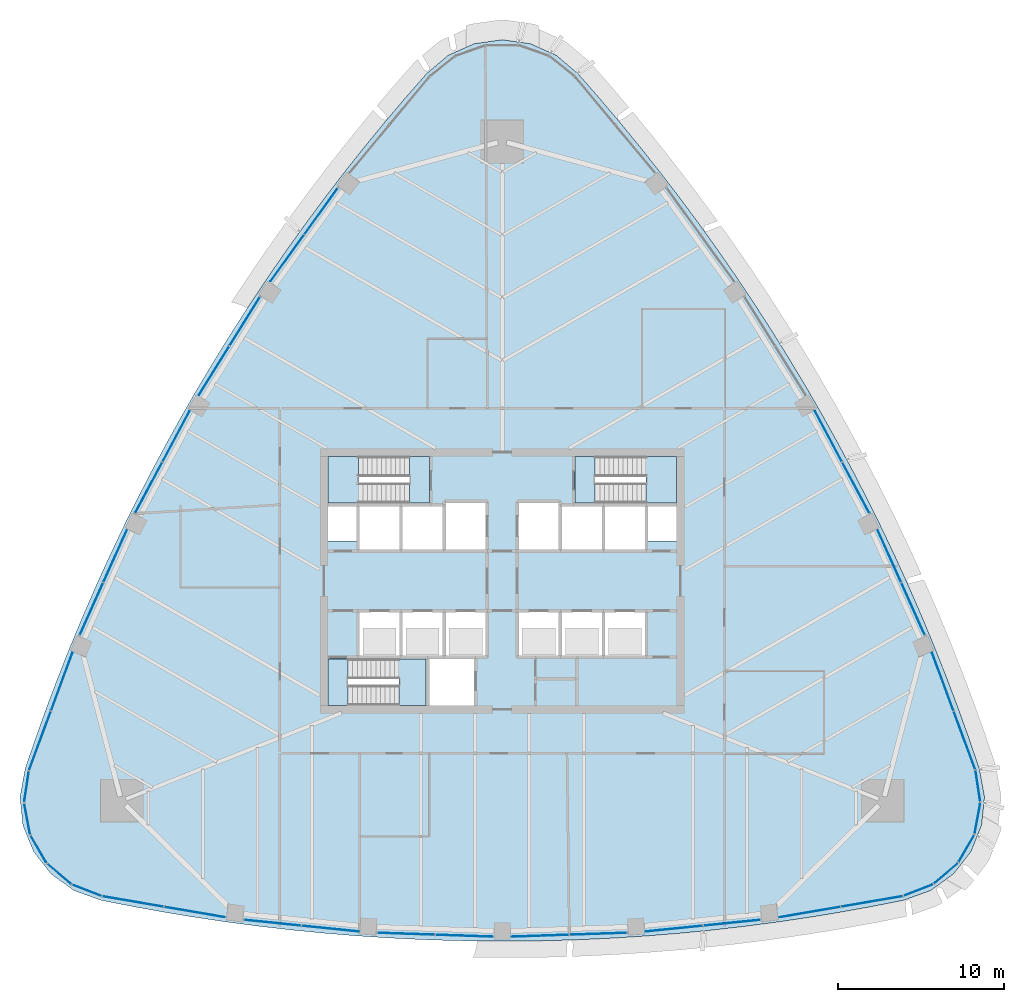
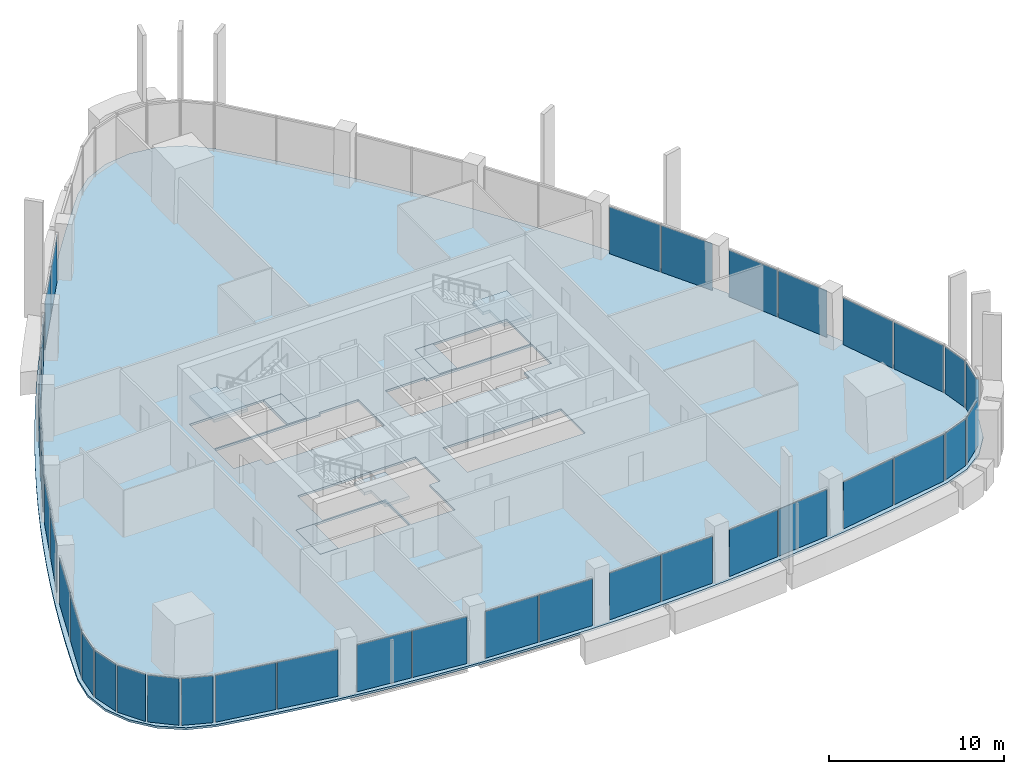
# One storey, part 8 of 17: 38 plates, 7 slabs, 27 elements without a shape of their own.
"""IFC4 building model written with IfcOpenShell, lengths in metres."""

from ifc_helpers import new_model, si_unit, direction, frame, origin, origin_2d, place, context, subcontext, project, spatial, polyline, rectangle, outline, extrude, material, layer, layer_set, type_object, element, aggregate, save


model = new_model("IFC4")

# Units and contexts
model_context = context("Model", 3, precision=1e-05, world=origin(), true_north=direction((0.0, 1.0)))
body_context = subcontext(model_context, "Body", "Model", "MODEL_VIEW")
ifc_project = project(units=[si_unit("LENGTHUNIT", "METRE"), si_unit("AREAUNIT", "SQUARE_METRE"), si_unit("VOLUMEUNIT", "CUBIC_METRE"), si_unit("PLANEANGLEUNIT", "RADIAN"), si_unit("MASSUNIT", "GRAM", prefix="KILO")], contexts=[model_context])

# Site, building, storey
site_placement = place(None, origin())
site = spatial("IfcSite", under=ifc_project, at=site_placement, CompositionType="ELEMENT")
building_placement = place(site_placement, origin())
building = spatial("IfcBuilding", under=site, at=building_placement, Name="Sierra Prisma Convention Tower", CompositionType="ELEMENT")
storey_placement = place(building_placement, frame((0.0, 0.0, 201.800048828125)))
storey = spatial("IfcBuildingStorey", under=building, at=storey_placement, Name="L45", CompositionType="ELEMENT", Elevation=201.800048828125)

# Curtain wall, plates
ifc_material_1 = material(Name="Aluminium and glass curtain wall", Category="aluminium")
ifc_layer_1 = layer(ifc_material_1, 0.179931640625)
ifc_layer_set_1 = layer_set([ifc_layer_1], Name="CW-1 Plain shaft curtain wall")
curtain_wall_type = type_object("IfcCurtainWallType", Name="CW-1 Plain shaft curtain wall", PredefinedType="NOTDEFINED", material=ifc_layer_set_1)
curtain_wall_1_placement = place(storey_placement, origin())
curtain_wall_1 = element("IfcCurtainWall", 1, at=curtain_wall_1_placement, inside=storey, type_object=curtain_wall_type, Name="CW-1 S1 L45", PredefinedType="NOTDEFINED")
ifc_material_2 = material(Name="Tinted glass bronze-grey IGU", Category="glass")
ifc_layer_2 = layer(ifc_material_2, 0.028076171875)
ifc_layer_set_2 = layer_set([ifc_layer_2], Name="CW-1 glass panel")
plate_type = type_object("IfcPlateType", Name="CW-1 glass panel", PredefinedType="CURTAIN_PANEL", material=ifc_layer_set_2)
plate_1_placement = place(storey_placement, frame((-22.257568359375, -19.32470703125, 0.0), z_axis=(0.0, 0.0, 1.0), x_axis=(0.985648531309, -0.168810463918, 0.0)))
plate_1 = element("IfcPlate", 2, at=plate_1_placement, type_object=plate_type, Name="CW-1 panel S1.1", PredefinedType="CURTAIN_PANEL", context=body_context, shape_type="SweptSolid", body=[
    extrude(rectangle(XDim=3.69677734375, YDim=0.028076171875, at=origin_2d()), origin(), (0.0, 0.0, 1.0), 3.280029296875),
])
plate_2_placement = place(storey_placement, frame((-18.544677734375, -19.960693359375, 0.0), z_axis=(0.0, 0.0, 1.0), x_axis=(0.985648531309, -0.168810463918, 0.0)))
plate_2 = element("IfcPlate", 3, at=plate_2_placement, type_object=plate_type, Name="CW-1 panel S1.2", PredefinedType="CURTAIN_PANEL", context=body_context, shape_type="SweptSolid", body=[
    extrude(rectangle(XDim=3.69677734375, YDim=0.028076171875, at=origin_2d()), origin(), (0.0, 0.0, 1.0), 3.280029296875),
])
aggregate(curtain_wall_1, [plate_1, plate_2])

curtain_wall_2_placement = place(storey_placement, origin())
curtain_wall_2 = element("IfcCurtainWall", 4, at=curtain_wall_2_placement, inside=storey, type_object=curtain_wall_type, Name="CW-1 S2 L45", PredefinedType="NOTDEFINED")
plate_3_placement = place(storey_placement, frame((-13.84619140625, -20.605224609375, 0.0), z_axis=(0.0, 0.0, 1.0), x_axis=(0.994825534561, -0.101598010731, 0.0)))
plate_3 = element("IfcPlate", 5, at=plate_3_placement, type_object=plate_type, Name="CW-1 panel S2.1", PredefinedType="CURTAIN_PANEL", context=body_context, shape_type="SweptSolid", body=[
    extrude(rectangle(XDim=3.4248046875, YDim=0.028076171875, at=origin_2d()), origin(), (0.0, 0.0, 1.0), 3.280029296875),
])
plate_4_placement = place(storey_placement, frame((-10.36962890625, -20.96044921875, 0.0), z_axis=(0.0, 0.0, 1.0), x_axis=(0.994825534561, -0.101598010731, 0.0)))
plate_4 = element("IfcPlate", 6, at=plate_4_placement, type_object=plate_type, Name="CW-1 panel S2.2", PredefinedType="CURTAIN_PANEL", context=body_context, shape_type="SweptSolid", body=[
    extrude(rectangle(XDim=3.4248046875, YDim=0.028076171875, at=origin_2d()), origin(), (0.0, 0.0, 1.0), 3.280029296875),
])
aggregate(curtain_wall_2, [plate_3, plate_4])

curtain_wall_3_placement = place(storey_placement, origin())
curtain_wall_3 = element("IfcCurtainWall", 7, at=curtain_wall_3_placement, inside=storey, type_object=curtain_wall_type, Name="CW-1 S3 L45", PredefinedType="NOTDEFINED")
plate_5_placement = place(storey_placement, frame((-5.797607421875, -21.270263671875, 0.0), z_axis=(0.0, 0.0, 1.0), x_axis=(0.999424618061, -0.033918030804, 0.0)))
plate_5 = element("IfcPlate", 8, at=plate_5_placement, type_object=plate_type, Name="CW-1 panel S3.1", PredefinedType="CURTAIN_PANEL", context=body_context, shape_type="SweptSolid", body=[
    extrude(rectangle(XDim=3.440673828125, YDim=0.028076171875, at=origin_2d()), origin(), (0.0, 0.0, 1.0), 3.280029296875),
])
plate_6_placement = place(storey_placement, frame((-2.2890625, -21.389404296875, 0.0), z_axis=(0.0, 0.0, 1.0), x_axis=(0.999424618061, -0.033918030804, 0.0)))
plate_6 = element("IfcPlate", 9, at=plate_6_placement, type_object=plate_type, Name="CW-1 panel S3.2", PredefinedType="CURTAIN_PANEL", context=body_context, shape_type="SweptSolid", body=[
    extrude(rectangle(XDim=3.440673828125, YDim=0.028076171875, at=origin_2d()), origin(), (0.0, 0.0, 1.0), 3.280029296875),
])
aggregate(curtain_wall_3, [plate_5, plate_6])

curtain_wall_4_placement = place(storey_placement, origin())
curtain_wall_4 = element("IfcCurtainWall", 10, at=curtain_wall_4_placement, inside=storey, type_object=curtain_wall_type, Name="CW-1 S4 L45", PredefinedType="NOTDEFINED")
plate_7_placement = place(storey_placement, frame((2.2890625, -21.389404296875, 0.0), z_axis=(0.0, 0.0, 1.0), x_axis=(0.999424618061, 0.033918030804, 0.0)))
plate_7 = element("IfcPlate", 11, at=plate_7_placement, type_object=plate_type, Name="CW-1 panel S4.1", PredefinedType="CURTAIN_PANEL", context=body_context, shape_type="SweptSolid", body=[
    extrude(rectangle(XDim=3.440673828125, YDim=0.028076171875, at=origin_2d()), origin(), (0.0, 0.0, 1.0), 3.280029296875),
])
plate_8_placement = place(storey_placement, frame((5.797607421875, -21.270263671875, 0.0), z_axis=(0.0, 0.0, 1.0), x_axis=(0.999424618061, 0.033918030804, 0.0)))
plate_8 = element("IfcPlate", 12, at=plate_8_placement, type_object=plate_type, Name="CW-1 panel S4.2", PredefinedType="CURTAIN_PANEL", context=body_context, shape_type="SweptSolid", body=[
    extrude(rectangle(XDim=3.440673828125, YDim=0.028076171875, at=origin_2d()), origin(), (0.0, 0.0, 1.0), 3.280029296875),
])
aggregate(curtain_wall_4, [plate_7, plate_8])

curtain_wall_5_placement = place(storey_placement, origin())
curtain_wall_5 = element("IfcCurtainWall", 13, at=curtain_wall_5_placement, inside=storey, type_object=curtain_wall_type, Name="CW-1 S5 L45", PredefinedType="NOTDEFINED")
plate_9_placement = place(storey_placement, frame((10.36962890625, -20.96044921875, 0.0), z_axis=(0.0, 0.0, 1.0), x_axis=(0.994825534561, 0.101598010731, 0.0)))
plate_9 = element("IfcPlate", 14, at=plate_9_placement, type_object=plate_type, Name="CW-1 panel S5.1", PredefinedType="CURTAIN_PANEL", context=body_context, shape_type="SweptSolid", body=[
    extrude(rectangle(XDim=3.4248046875, YDim=0.028076171875, at=origin_2d()), origin(), (0.0, 0.0, 1.0), 3.280029296875),
])
plate_10_placement = place(storey_placement, frame((13.84619140625, -20.605224609375, 0.0), z_axis=(0.0, 0.0, 1.0), x_axis=(0.994825534561, 0.101598010731, 0.0)))
plate_10 = element("IfcPlate", 15, at=plate_10_placement, type_object=plate_type, Name="CW-1 panel S5.2", PredefinedType="CURTAIN_PANEL", context=body_context, shape_type="SweptSolid", body=[
    extrude(rectangle(XDim=3.4248046875, YDim=0.028076171875, at=origin_2d()), origin(), (0.0, 0.0, 1.0), 3.280029296875),
])
aggregate(curtain_wall_5, [plate_9, plate_10])

curtain_wall_6_placement = place(storey_placement, origin())
curtain_wall_6 = element("IfcCurtainWall", 16, at=curtain_wall_6_placement, inside=storey, type_object=curtain_wall_type, Name="CW-1 S6 L45", PredefinedType="NOTDEFINED")
plate_11_placement = place(storey_placement, frame((18.544677734375, -19.960693359375, 0.0), z_axis=(0.0, 0.0, 1.0), x_axis=(0.985648531309, 0.168810463918, 0.0)))
plate_11 = element("IfcPlate", 17, at=plate_11_placement, type_object=plate_type, Name="CW-1 panel S6.1", PredefinedType="CURTAIN_PANEL", context=body_context, shape_type="SweptSolid", body=[
    extrude(rectangle(XDim=3.69677734375, YDim=0.028076171875, at=origin_2d()), origin(), (0.0, 0.0, 1.0), 3.280029296875),
])
plate_12_placement = place(storey_placement, frame((22.257568359375, -19.32470703125, 0.0), z_axis=(0.0, 0.0, 1.0), x_axis=(0.985648531309, 0.168810463918, 0.0)))
plate_12 = element("IfcPlate", 18, at=plate_12_placement, type_object=plate_type, Name="CW-1 panel S6.2", PredefinedType="CURTAIN_PANEL", context=body_context, shape_type="SweptSolid", body=[
    extrude(rectangle(XDim=3.69677734375, YDim=0.028076171875, at=origin_2d()), origin(), (0.0, 0.0, 1.0), 3.280029296875),
])
aggregate(curtain_wall_6, [plate_11, plate_12])

# Curtain wall, plate
curtain_wall_7_placement = place(storey_placement, origin())
curtain_wall_7 = element("IfcCurtainWall", 19, at=curtain_wall_7_placement, inside=storey, type_object=curtain_wall_type, Name="CW-1 SE1 L45", PredefinedType="NOTDEFINED")
plate_13_placement = place(storey_placement, frame((25.06591796875, -18.642822265625, 0.0), z_axis=(0.0, 0.0, 1.0), x_axis=(0.931501425358, 0.363737672721, 0.0)))
plate_13 = element("IfcPlate", 20, at=plate_13_placement, type_object=plate_type, Name="CW-1 panel SE1.1", PredefinedType="CURTAIN_PANEL", context=body_context, shape_type="SweptSolid", body=[
    extrude(rectangle(XDim=1.82958984375, YDim=0.028076171875, at=origin_2d()), origin(), (0.0, 0.0, 1.0), 3.280029296875),
])
aggregate(curtain_wall_7, [plate_13])

curtain_wall_8_placement = place(storey_placement, origin())
curtain_wall_8 = element("IfcCurtainWall", 21, at=curtain_wall_8_placement, inside=storey, type_object=curtain_wall_type, Name="CW-1 SE2 L45", PredefinedType="NOTDEFINED")
plate_14_placement = place(storey_placement, frame((26.730224609375, -17.642822265625, 0.0), z_axis=(0.0, 0.0, 1.0), x_axis=(0.758533007782, 0.65163461856, 0.0)))
plate_14 = element("IfcPlate", 22, at=plate_14_placement, type_object=plate_type, Name="CW-1 panel SE2.1", PredefinedType="CURTAIN_PANEL", context=body_context, shape_type="SweptSolid", body=[
    extrude(rectangle(XDim=1.82958984375, YDim=0.028076171875, at=origin_2d()), origin(), (0.0, 0.0, 1.0), 3.280029296875),
])
aggregate(curtain_wall_8, [plate_14])

curtain_wall_9_placement = place(storey_placement, origin())
curtain_wall_9 = element("IfcCurtainWall", 23, at=curtain_wall_9_placement, inside=storey, type_object=curtain_wall_type, Name="CW-1 SE3 L45", PredefinedType="NOTDEFINED")
plate_15_placement = place(storey_placement, frame((27.969482421875, -16.148193359375, 0.0), z_axis=(0.0, 0.0, 1.0), x_axis=(0.5, 0.866025403784, 0.0)))
plate_15 = element("IfcPlate", 24, at=plate_15_placement, type_object=plate_type, Name="CW-1 panel SE3.1", PredefinedType="CURTAIN_PANEL", context=body_context, shape_type="SweptSolid", body=[
    extrude(rectangle(XDim=1.82958984375, YDim=0.028076171875, at=origin_2d()), origin(), (0.0, 0.0, 1.0), 3.280029296875),
])
aggregate(curtain_wall_9, [plate_15])

curtain_wall_10_placement = place(storey_placement, origin())
curtain_wall_10 = element("IfcCurtainWall", 25, at=curtain_wall_10_placement, inside=storey, type_object=curtain_wall_type, Name="CW-1 SE4 L45", PredefinedType="NOTDEFINED")
plate_16_placement = place(storey_placement, frame((28.644287109375, -14.32763671875, 0.0), z_axis=(0.0, 0.0, 1.0), x_axis=(0.185065629767, 0.982726163628, 0.0)))
plate_16 = element("IfcPlate", 26, at=plate_16_placement, type_object=plate_type, Name="CW-1 panel SE4.1", PredefinedType="CURTAIN_PANEL", context=body_context, shape_type="SweptSolid", body=[
    extrude(rectangle(XDim=1.82958984375, YDim=0.028076171875, at=origin_2d()), origin(), (0.0, 0.0, 1.0), 3.280029296875),
])
aggregate(curtain_wall_10, [plate_16])

curtain_wall_11_placement = place(storey_placement, origin())
curtain_wall_11 = element("IfcCurtainWall", 27, at=curtain_wall_11_placement, inside=storey, type_object=curtain_wall_type, Name="CW-1 SE5 L45", PredefinedType="NOTDEFINED")
plate_17_placement = place(storey_placement, frame((28.677978515625, -12.38623046875, 0.0), z_axis=(0.0, 0.0, 1.0), x_axis=(-0.15074464779, 0.988572734382, 0.0)))
plate_17 = element("IfcPlate", 28, at=plate_17_placement, type_object=plate_type, Name="CW-1 panel SE5.1", PredefinedType="CURTAIN_PANEL", context=body_context, shape_type="SweptSolid", body=[
    extrude(rectangle(XDim=1.82958984375, YDim=0.028076171875, at=origin_2d()), origin(), (0.0, 0.0, 1.0), 3.280029296875),
])
aggregate(curtain_wall_11, [plate_17])

# Curtain wall, plates
curtain_wall_12_placement = place(storey_placement, origin())
curtain_wall_12 = element("IfcCurtainWall", 29, at=curtain_wall_12_placement, inside=storey, type_object=curtain_wall_type, Name="CW-1 NE1 L45", PredefinedType="NOTDEFINED")
plate_18_placement = place(storey_placement, frame((27.864501953125, -9.61328125, 0.0), z_axis=(0.0, 0.0, 1.0), x_axis=(-0.346630115477, 0.938001899275, 0.0)))
plate_18 = element("IfcPlate", 30, at=plate_18_placement, type_object=plate_type, Name="CW-1 panel NE1.1", PredefinedType="CURTAIN_PANEL", context=body_context, shape_type="SweptSolid", body=[
    extrude(rectangle(XDim=3.69677734375, YDim=0.028076171875, at=origin_2d()), origin(), (0.0, 0.0, 1.0), 3.280029296875),
])
plate_19_placement = place(storey_placement, frame((26.558837890625, -6.079833984375, 0.0), z_axis=(0.0, 0.0, 1.0), x_axis=(-0.346630115477, 0.938001899275, 0.0)))
plate_19 = element("IfcPlate", 31, at=plate_19_placement, type_object=plate_type, Name="CW-1 panel NE1.2", PredefinedType="CURTAIN_PANEL", context=body_context, shape_type="SweptSolid", body=[
    extrude(rectangle(XDim=3.69677734375, YDim=0.028076171875, at=origin_2d()), origin(), (0.0, 0.0, 1.0), 3.280029296875),
])
aggregate(curtain_wall_12, [plate_18, plate_19])

curtain_wall_13_placement = place(storey_placement, origin())
curtain_wall_13 = element("IfcCurtainWall", 32, at=curtain_wall_13_placement, inside=storey, type_object=curtain_wall_type, Name="CW-1 NE2 L45", PredefinedType="NOTDEFINED")
plate_20_placement = place(storey_placement, frame((24.76806640625, -1.688720703125, 0.0), z_axis=(0.0, 0.0, 1.0), x_axis=(-0.409426309014, 0.912343190629, 0.0)))
plate_20 = element("IfcPlate", 33, at=plate_20_placement, type_object=plate_type, Name="CW-1 panel NE2.1", PredefinedType="CURTAIN_PANEL", context=body_context, shape_type="SweptSolid", body=[
    extrude(rectangle(XDim=3.4248046875, YDim=0.028076171875, at=origin_2d()), origin(), (0.0, 0.0, 1.0), 3.280029296875),
])
plate_21_placement = place(storey_placement, frame((23.337158203125, 1.499755859375, 0.0), z_axis=(0.0, 0.0, 1.0), x_axis=(-0.409426309014, 0.912343190629, 0.0)))
plate_21 = element("IfcPlate", 34, at=plate_21_placement, type_object=plate_type, Name="CW-1 panel NE2.2", PredefinedType="CURTAIN_PANEL", context=body_context, shape_type="SweptSolid", body=[
    extrude(rectangle(XDim=3.4248046875, YDim=0.028076171875, at=origin_2d()), origin(), (0.0, 0.0, 1.0), 3.280029296875),
])
aggregate(curtain_wall_13, [plate_20, plate_21])

curtain_wall_14_placement = place(storey_placement, origin())
curtain_wall_14 = element("IfcCurtainWall", 35, at=curtain_wall_14_placement, inside=storey, type_object=curtain_wall_type, Name="CW-1 NE3 L45", PredefinedType="NOTDEFINED")
plate_22_placement = place(storey_placement, frame((21.319580078125, 5.6142578125, 0.0), z_axis=(0.0, 0.0, 1.0), x_axis=(-0.470338432708, 0.88248612381, 0.0)))
plate_22 = element("IfcPlate", 36, at=plate_22_placement, type_object=plate_type, Name="CW-1 panel NE3.1", PredefinedType="CURTAIN_PANEL", context=body_context, shape_type="SweptSolid", body=[
    extrude(rectangle(XDim=3.440673828125, YDim=0.028076171875, at=origin_2d()), origin(), (0.0, 0.0, 1.0), 3.280029296875),
])
plate_23_placement = place(storey_placement, frame((19.66845703125, 8.71240234375, 0.0), z_axis=(0.0, 0.0, 1.0), x_axis=(-0.470338432708, 0.88248612381, 0.0)))
plate_23 = element("IfcPlate", 37, at=plate_23_placement, type_object=plate_type, Name="CW-1 panel NE3.2", PredefinedType="CURTAIN_PANEL", context=body_context, shape_type="SweptSolid", body=[
    extrude(rectangle(XDim=3.440673828125, YDim=0.028076171875, at=origin_2d()), origin(), (0.0, 0.0, 1.0), 3.280029296875),
])
aggregate(curtain_wall_14, [plate_22, plate_23])

curtain_wall_15_placement = place(storey_placement, origin())
curtain_wall_15 = element("IfcCurtainWall", 38, at=curtain_wall_15_placement, inside=storey, type_object=curtain_wall_type, Name="CW-1 NW2 L45", PredefinedType="NOTDEFINED")
plate_24_placement = place(storey_placement, frame((-10.921630859375, 22.2939453125, 0.0), z_axis=(0.0, 0.0, 1.0), x_axis=(-0.585399225548, -0.810745179898, 0.0)))
plate_24 = element("IfcPlate", 39, at=plate_24_placement, type_object=plate_type, Name="CW-1 panel NW2.1", PredefinedType="CURTAIN_PANEL", context=body_context, shape_type="SweptSolid", body=[
    extrude(rectangle(XDim=3.4248046875, YDim=0.028076171875, at=origin_2d()), origin(), (0.0, 0.0, 1.0), 3.280029296875),
])
plate_25_placement = place(storey_placement, frame((-12.96728515625, 19.460693359375, 0.0), z_axis=(0.0, 0.0, 1.0), x_axis=(-0.585399225548, -0.810745179898, 0.0)))
plate_25 = element("IfcPlate", 40, at=plate_25_placement, type_object=plate_type, Name="CW-1 panel NW2.2", PredefinedType="CURTAIN_PANEL", context=body_context, shape_type="SweptSolid", body=[
    extrude(rectangle(XDim=3.4248046875, YDim=0.028076171875, at=origin_2d()), origin(), (0.0, 0.0, 1.0), 3.280029296875),
])
aggregate(curtain_wall_15, [plate_24, plate_25])

curtain_wall_16_placement = place(storey_placement, origin())
curtain_wall_16 = element("IfcCurtainWall", 41, at=curtain_wall_16_placement, inside=storey, type_object=curtain_wall_type, Name="CW-1 NW3 L45", PredefinedType="NOTDEFINED")
plate_26_placement = place(storey_placement, frame((-15.521728515625, 15.65625, 0.0), z_axis=(0.0, 0.0, 1.0), x_axis=(-0.529086185353, -0.848568093007, 0.0)))
plate_26 = element("IfcPlate", 42, at=plate_26_placement, type_object=plate_type, Name="CW-1 panel NW3.1", PredefinedType="CURTAIN_PANEL", context=body_context, shape_type="SweptSolid", body=[
    extrude(rectangle(XDim=3.440673828125, YDim=0.028076171875, at=origin_2d()), origin(), (0.0, 0.0, 1.0), 3.280029296875),
])
plate_27_placement = place(storey_placement, frame((-17.37939453125, 12.677001953125, 0.0), z_axis=(0.0, 0.0, 1.0), x_axis=(-0.529086185353, -0.848568093007, 0.0)))
plate_27 = element("IfcPlate", 43, at=plate_27_placement, type_object=plate_type, Name="CW-1 panel NW3.2", PredefinedType="CURTAIN_PANEL", context=body_context, shape_type="SweptSolid", body=[
    extrude(rectangle(XDim=3.440673828125, YDim=0.028076171875, at=origin_2d()), origin(), (0.0, 0.0, 1.0), 3.280029296875),
])
aggregate(curtain_wall_16, [plate_26, plate_27])

curtain_wall_17_placement = place(storey_placement, origin())
curtain_wall_17 = element("IfcCurtainWall", 44, at=curtain_wall_17_placement, inside=storey, type_object=curtain_wall_type, Name="CW-1 NW4 L45", PredefinedType="NOTDEFINED")
plate_28_placement = place(storey_placement, frame((-19.668212890625, 8.71240234375, 0.0), z_axis=(0.0, 0.0, 1.0), x_axis=(-0.470338432708, -0.88248612381, 0.0)))
plate_28 = element("IfcPlate", 45, at=plate_28_placement, type_object=plate_type, Name="CW-1 panel NW4.1", PredefinedType="CURTAIN_PANEL", context=body_context, shape_type="SweptSolid", body=[
    extrude(rectangle(XDim=3.440673828125, YDim=0.028076171875, at=origin_2d()), origin(), (0.0, 0.0, 1.0), 3.280029296875),
])
plate_29_placement = place(storey_placement, frame((-21.319580078125, 5.6142578125, 0.0), z_axis=(0.0, 0.0, 1.0), x_axis=(-0.470338432708, -0.88248612381, 0.0)))
plate_29 = element("IfcPlate", 46, at=plate_29_placement, type_object=plate_type, Name="CW-1 panel NW4.2", PredefinedType="CURTAIN_PANEL", context=body_context, shape_type="SweptSolid", body=[
    extrude(rectangle(XDim=3.440673828125, YDim=0.028076171875, at=origin_2d()), origin(), (0.0, 0.0, 1.0), 3.280029296875),
])
aggregate(curtain_wall_17, [plate_28, plate_29])

curtain_wall_18_placement = place(storey_placement, origin())
curtain_wall_18 = element("IfcCurtainWall", 47, at=curtain_wall_18_placement, inside=storey, type_object=curtain_wall_type, Name="CW-1 NW5 L45", PredefinedType="NOTDEFINED")
plate_30_placement = place(storey_placement, frame((-23.337158203125, 1.499755859375, 0.0), z_axis=(0.0, 0.0, 1.0), x_axis=(-0.409426309014, -0.912343190629, 0.0)))
plate_30 = element("IfcPlate", 48, at=plate_30_placement, type_object=plate_type, Name="CW-1 panel NW5.1", PredefinedType="CURTAIN_PANEL", context=body_context, shape_type="SweptSolid", body=[
    extrude(rectangle(XDim=3.4248046875, YDim=0.028076171875, at=origin_2d()), origin(), (0.0, 0.0, 1.0), 3.280029296875),
])
plate_31_placement = place(storey_placement, frame((-24.767822265625, -1.6884765625, 0.0), z_axis=(0.0, 0.0, 1.0), x_axis=(-0.409426309014, -0.912343190629, 0.0)))
plate_31 = element("IfcPlate", 49, at=plate_31_placement, type_object=plate_type, Name="CW-1 panel NW5.2", PredefinedType="CURTAIN_PANEL", context=body_context, shape_type="SweptSolid", body=[
    extrude(rectangle(XDim=3.4248046875, YDim=0.028076171875, at=origin_2d()), origin(), (0.0, 0.0, 1.0), 3.280029296875),
])
aggregate(curtain_wall_18, [plate_30, plate_31])

curtain_wall_19_placement = place(storey_placement, origin())
curtain_wall_19 = element("IfcCurtainWall", 50, at=curtain_wall_19_placement, inside=storey, type_object=curtain_wall_type, Name="CW-1 NW6 L45", PredefinedType="NOTDEFINED")
plate_32_placement = place(storey_placement, frame((-26.558837890625, -6.079833984375, 0.0), z_axis=(0.0, 0.0, 1.0), x_axis=(-0.346630115477, -0.938001899275, 0.0)))
plate_32 = element("IfcPlate", 51, at=plate_32_placement, type_object=plate_type, Name="CW-1 panel NW6.1", PredefinedType="CURTAIN_PANEL", context=body_context, shape_type="SweptSolid", body=[
    extrude(rectangle(XDim=3.69677734375, YDim=0.028076171875, at=origin_2d()), origin(), (0.0, 0.0, 1.0), 3.280029296875),
])
plate_33_placement = place(storey_placement, frame((-27.864501953125, -9.61328125, 0.0), z_axis=(0.0, 0.0, 1.0), x_axis=(-0.346630115477, -0.938001899275, 0.0)))
plate_33 = element("IfcPlate", 52, at=plate_33_placement, type_object=plate_type, Name="CW-1 panel NW6.2", PredefinedType="CURTAIN_PANEL", context=body_context, shape_type="SweptSolid", body=[
    extrude(rectangle(XDim=3.69677734375, YDim=0.028076171875, at=origin_2d()), origin(), (0.0, 0.0, 1.0), 3.280029296875),
])
aggregate(curtain_wall_19, [plate_32, plate_33])

# Curtain wall, plate
curtain_wall_20_placement = place(storey_placement, origin())
curtain_wall_20 = element("IfcCurtainWall", 53, at=curtain_wall_20_placement, inside=storey, type_object=curtain_wall_type, Name="CW-1 SW1 L45", PredefinedType="NOTDEFINED")
plate_34_placement = place(storey_placement, frame((-28.677978515625, -12.38623046875, 0.0), z_axis=(0.0, 0.0, 1.0), x_axis=(-0.15074464779, -0.988572734382, 0.0)))
plate_34 = element("IfcPlate", 54, at=plate_34_placement, type_object=plate_type, Name="CW-1 panel SW1.1", PredefinedType="CURTAIN_PANEL", context=body_context, shape_type="SweptSolid", body=[
    extrude(rectangle(XDim=1.82958984375, YDim=0.028076171875, at=origin_2d()), origin(), (0.0, 0.0, 1.0), 3.280029296875),
])
aggregate(curtain_wall_20, [plate_34])

curtain_wall_21_placement = place(storey_placement, origin())
curtain_wall_21 = element("IfcCurtainWall", 55, at=curtain_wall_21_placement, inside=storey, type_object=curtain_wall_type, Name="CW-1 SW2 L45", PredefinedType="NOTDEFINED")
plate_35_placement = place(storey_placement, frame((-28.644287109375, -14.32763671875, 0.0), z_axis=(0.0, 0.0, 1.0), x_axis=(0.185065629767, -0.982726163628, 0.0)))
plate_35 = element("IfcPlate", 56, at=plate_35_placement, type_object=plate_type, Name="CW-1 panel SW2.1", PredefinedType="CURTAIN_PANEL", context=body_context, shape_type="SweptSolid", body=[
    extrude(rectangle(XDim=1.82958984375, YDim=0.028076171875, at=origin_2d()), origin(), (0.0, 0.0, 1.0), 3.280029296875),
])
aggregate(curtain_wall_21, [plate_35])

curtain_wall_22_placement = place(storey_placement, origin())
curtain_wall_22 = element("IfcCurtainWall", 57, at=curtain_wall_22_placement, inside=storey, type_object=curtain_wall_type, Name="CW-1 SW3 L45", PredefinedType="NOTDEFINED")
plate_36_placement = place(storey_placement, frame((-27.969482421875, -16.148193359375, 0.0), z_axis=(0.0, 0.0, 1.0), x_axis=(0.5, -0.866025403784, 0.0)))
plate_36 = element("IfcPlate", 58, at=plate_36_placement, type_object=plate_type, Name="CW-1 panel SW3.1", PredefinedType="CURTAIN_PANEL", context=body_context, shape_type="SweptSolid", body=[
    extrude(rectangle(XDim=1.82958984375, YDim=0.028076171875, at=origin_2d()), origin(), (0.0, 0.0, 1.0), 3.280029296875),
])
aggregate(curtain_wall_22, [plate_36])

curtain_wall_23_placement = place(storey_placement, origin())
curtain_wall_23 = element("IfcCurtainWall", 59, at=curtain_wall_23_placement, inside=storey, type_object=curtain_wall_type, Name="CW-1 SW4 L45", PredefinedType="NOTDEFINED")
plate_37_placement = place(storey_placement, frame((-26.730224609375, -17.642822265625, 0.0), z_axis=(0.0, 0.0, 1.0), x_axis=(0.758533007782, -0.65163461856, 0.0)))
plate_37 = element("IfcPlate", 60, at=plate_37_placement, type_object=plate_type, Name="CW-1 panel SW4.1", PredefinedType="CURTAIN_PANEL", context=body_context, shape_type="SweptSolid", body=[
    extrude(rectangle(XDim=1.82958984375, YDim=0.028076171875, at=origin_2d()), origin(), (0.0, 0.0, 1.0), 3.280029296875),
])
aggregate(curtain_wall_23, [plate_37])

curtain_wall_24_placement = place(storey_placement, origin())
curtain_wall_24 = element("IfcCurtainWall", 61, at=curtain_wall_24_placement, inside=storey, type_object=curtain_wall_type, Name="CW-1 SW5 L45", PredefinedType="NOTDEFINED")
plate_38_placement = place(storey_placement, frame((-25.06591796875, -18.642822265625, 0.0), z_axis=(0.0, 0.0, 1.0), x_axis=(0.931501425358, -0.363737672721, 0.0)))
plate_38 = element("IfcPlate", 62, at=plate_38_placement, type_object=plate_type, Name="CW-1 panel SW5.1", PredefinedType="CURTAIN_PANEL", context=body_context, shape_type="SweptSolid", body=[
    extrude(rectangle(XDim=1.82958984375, YDim=0.028076171875, at=origin_2d()), origin(), (0.0, 0.0, 1.0), 3.280029296875),
])
aggregate(curtain_wall_24, [plate_38])

# Slab
ifc_material_3 = material(Name="Concrete C35/45", Category="concrete")
ifc_layer_3 = layer(ifc_material_3, 0.14990234375)
ifc_layer_set_3 = layer_set([ifc_layer_3], Name="Composite floor slab 150")
slab_type_1 = type_object("IfcSlabType", Name="Composite floor slab 150", PredefinedType="FLOOR", material=ifc_layer_set_3)
slab_1_placement = place(storey_placement, frame((0.0, 0.0, -0.150146484375)))
element("IfcSlab", 63, at=slab_1_placement, inside=storey, type_object=slab_type_1, Name="Floor slab L45 floor", PredefinedType="FLOOR", context=body_context, shape_type="SweptSolid", body=[
    extrude(outline(polyline([(-24.198974609375, -19.245849609375), (-22.286865234375, -19.624267578125), (-20.36865234375, -19.9716796875), (-18.445068359375, -20.28759765625), (-16.5166015625, -20.572265625), (-14.583740234375, -20.825439453125), (-12.647216796875, -21.047119140625), (-10.70703125, -21.2373046875), (-8.76416015625, -21.39599609375), (-6.819091796875, -21.522705078125), (-4.8720703125, -21.617919921875), (-2.923828125, -21.681396484375), (-0.974609375, -21.713134765625), (0.974609375, -21.713134765625), (2.923828125, -21.681396484375), (4.8720703125, -21.617919921875), (6.819091796875, -21.522705078125), (8.76416015625, -21.39599609375), (10.70703125, -21.2373046875), (12.647216796875, -21.047119140625), (14.583740234375, -20.825439453125), (16.5166015625, -20.572265625), (18.445068359375, -20.28759765625), (20.36865234375, -19.9716796875), (22.286865234375, -19.624267578125), (24.198974609375, -19.245849609375), (25.812255859375, -18.66748046875), (27.20166015625, -17.664306640625), (28.258056640625, -16.31494140625), (28.898681640625, -14.725341796875), (29.07275390625, -13.020263671875), (28.766845703125, -11.333984375), (28.138427734375, -9.48876953125), (27.480224609375, -7.654052734375), (26.792236328125, -5.830078125), (26.074462890625, -4.017822265625), (25.327392578125, -2.21728515625), (24.551025390625, -0.42919921875), (23.74560546875, 1.345947265625), (22.91162109375, 3.10791015625), (22.048828125, 4.85595703125), (21.15771484375, 6.589599609375), (20.238525390625, 8.30859375), (19.29150390625, 10.012451171875), (18.31689453125, 11.70068359375), (17.314697265625, 13.372802734375), (16.28564453125, 15.0283203125), (15.229736328125, 16.666748046875), (14.147216796875, 18.2880859375), (13.03857421875, 19.891357421875), (11.90380859375, 21.476318359375), (10.743408203125, 23.042724609375), (9.557861328125, 24.590087890625), (8.346923828125, 26.11767578125), (7.111572265625, 27.62548828125), (5.851806640625, 29.113037109375), (4.56787109375, 30.579833984375), (3.260498046875, 31.68798828125), (1.69677734375, 32.3896484375), (0.0, 32.629638671875), (-1.69677734375, 32.3896484375), (-3.260498046875, 31.68798828125), (-4.56787109375, 30.579833984375), (-5.851806640625, 29.113037109375), (-7.111572265625, 27.62548828125), (-8.346923828125, 26.11767578125), (-9.557861328125, 24.590087890625), (-10.743408203125, 23.042724609375), (-11.90380859375, 21.476318359375), (-13.03857421875, 19.891357421875), (-14.147216796875, 18.2880859375), (-15.229736328125, 16.666748046875), (-16.28564453125, 15.0283203125), (-17.314697265625, 13.372802734375), (-18.31689453125, 11.70068359375), (-19.29150390625, 10.012451171875), (-20.238525390625, 8.30859375), (-21.15771484375, 6.589599609375), (-22.048828125, 4.85595703125), (-22.91162109375, 3.10791015625), (-23.74560546875, 1.345947265625), (-24.551025390625, -0.42919921875), (-25.327392578125, -2.21728515625), (-26.074462890625, -4.017822265625), (-26.792236328125, -5.830078125), (-27.480224609375, -7.654052734375), (-28.138427734375, -9.48876953125), (-28.766845703125, -11.333984375), (-29.07275390625, -13.020263671875), (-28.898681640625, -14.725341796875), (-28.258056640625, -16.31494140625), (-27.20166015625, -17.664306640625), (-25.812255859375, -18.66748046875), (-24.198974609375, -19.245849609375)]), holes=[polyline([(-4.60009765625, -7.5), (-10.5, -7.5), (-10.5, -4.699951171875), (-4.60009765625, -4.699951171875), (-4.60009765625, -7.5)]), polyline([(-8.699951171875, -4.60009765625), (-8.699951171875, -1.800048828125), (-6.10009765625, -1.800048828125), (-3.5, -1.800048828125), (-0.89990234375, -1.800048828125), (-0.89990234375, -4.60009765625), (-1.60009765625, -4.60009765625), (-1.60009765625, -7.5), (-4.5, -7.5), (-4.5, -4.60009765625), (-6.10009765625, -4.60009765625), (-8.699951171875, -4.60009765625)]), polyline([(-10.5, 4.60009765625), (-8.699951171875, 4.60009765625), (-6.10009765625, 4.60009765625), (-3.5, 4.60009765625), (-3.5, 4.800048828125), (-0.89990234375, 4.800048828125), (-0.89990234375, 1.800048828125), (-3.5, 1.800048828125), (-6.10009765625, 1.800048828125), (-8.699951171875, 1.800048828125), (-8.699951171875, 2.39990234375), (-10.5, 2.39990234375), (-10.5, 4.60009765625)]), polyline([(-10.5, 4.699951171875), (-10.5, 7.5), (-4.39990234375, 7.5), (-4.39990234375, 4.699951171875), (-10.5, 4.699951171875)]), polyline([(6.10009765625, -1.800048828125), (8.699951171875, -1.800048828125), (8.699951171875, -4.60009765625), (6.10009765625, -4.60009765625), (3.5, -4.60009765625), (0.89990234375, -4.60009765625), (0.89990234375, -1.800048828125), (3.5, -1.800048828125), (6.10009765625, -1.800048828125)]), polyline([(8.699951171875, 4.60009765625), (10.5, 4.60009765625), (10.5, 2.39990234375), (8.699951171875, 2.39990234375), (8.699951171875, 1.800048828125), (6.10009765625, 1.800048828125), (3.5, 1.800048828125), (0.89990234375, 1.800048828125), (0.89990234375, 4.800048828125), (3.5, 4.800048828125), (3.5, 4.60009765625), (6.10009765625, 4.60009765625), (8.699951171875, 4.60009765625)]), polyline([(4.39990234375, 4.699951171875), (4.39990234375, 7.5), (10.5, 7.5), (10.5, 4.699951171875), (4.39990234375, 4.699951171875)])]), origin(), (0.0, 0.0, 1.0), 0.150146484375),
])

# Stair, slab
ifc_material_4 = material(Name="Concrete C30/37", Category="concrete")
stair_type = type_object("IfcStairType", Name="Stair dog-leg 1200 RC", PredefinedType="HALF_TURN_STAIR", material=ifc_material_4)
stair_1_placement = place(storey_placement, origin())
stair_1 = element("IfcStair", 64, at=stair_1_placement, inside=storey, type_object=stair_type, Name="L45 S1", PredefinedType="HALF_TURN_STAIR")
ifc_material_5 = material(Name="Concrete C35/45", Category="concrete")
ifc_layer_4 = layer(ifc_material_5, 0.199951171875)
ifc_layer_set_4 = layer_set([ifc_layer_4], Name="Stair landing slab")
slab_type_2 = type_object("IfcSlabType", Name="Stair landing slab", PredefinedType="LANDING", material=ifc_layer_set_4)
slab_2_placement = place(storey_placement, frame((0.0, 0.0, 1.800048828125)))
slab_2 = element("IfcSlab", 65, at=slab_2_placement, type_object=slab_type_2, Name="S1 landing 1", PredefinedType="LANDING", context=body_context, shape_type="SweptSolid", body=[
    extrude(outline(polyline([(-4.60009765625, -4.699951171875), (-4.60009765625, -7.5), (-6.221923828125, -7.5), (-6.221923828125, -5.89990234375), (-6.669921875, -5.89990234375), (-6.669921875, -4.699951171875), (-4.60009765625, -4.699951171875)])), origin(), (0.0, 0.0, 1.0), 0.199951171875),
])
aggregate(stair_1, [slab_2])

# Slab
slab_3_placement = place(storey_placement, frame((0.0, 0.0, -0.199951171875)))
element("IfcSlab", 66, at=slab_3_placement, inside=storey, type_object=slab_type_2, Name="S1 floor landing L45", PredefinedType="LANDING", context=body_context, shape_type="SweptSolid", body=[
    extrude(outline(polyline([(-10.5, -7.5), (-9.298095703125, -7.5), (-9.298095703125, -4.699951171875), (-10.5, -4.699951171875), (-10.5, -7.5)])), origin(), (0.0, 0.0, 1.0), 0.199951171875),
])

# Stair, slab
stair_2_placement = place(storey_placement, origin())
stair_2 = element("IfcStair", 67, at=stair_2_placement, inside=storey, type_object=stair_type, Name="L45 S3", PredefinedType="HALF_TURN_STAIR")
slab_4_placement = place(storey_placement, frame((0.0, 0.0, 1.800048828125)))
slab_4 = element("IfcSlab", 68, at=slab_4_placement, type_object=slab_type_2, Name="S3 landing 1", PredefinedType="LANDING", context=body_context, shape_type="SweptSolid", body=[
    extrude(outline(polyline([(-8.22998046875, 5.89990234375), (-8.22998046875, 4.699951171875), (-10.5, 4.699951171875), (-10.5, 7.5), (-8.677978515625, 7.5), (-8.677978515625, 5.89990234375), (-8.22998046875, 5.89990234375)])), origin(), (0.0, 0.0, 1.0), 0.199951171875),
])
aggregate(stair_2, [slab_4])

# Slab
slab_5_placement = place(storey_placement, frame((0.0, 0.0, -0.199951171875)))
element("IfcSlab", 69, at=slab_5_placement, inside=storey, type_object=slab_type_2, Name="S3 floor landing L45", PredefinedType="LANDING", context=body_context, shape_type="SweptSolid", body=[
    extrude(outline(polyline([(-4.39990234375, 7.5), (-5.60205078125, 7.5), (-5.60205078125, 4.699951171875), (-4.39990234375, 4.699951171875), (-4.39990234375, 7.5)])), origin(), (0.0, 0.0, 1.0), 0.199951171875),
])

# Stair, slab
stair_3_placement = place(storey_placement, origin())
stair_3 = element("IfcStair", 70, at=stair_3_placement, inside=storey, type_object=stair_type, Name="L45 S4", PredefinedType="HALF_TURN_STAIR")
slab_6_placement = place(storey_placement, frame((0.0, 0.0, 1.800048828125)))
slab_6 = element("IfcSlab", 71, at=slab_6_placement, type_object=slab_type_2, Name="S4 landing 1", PredefinedType="LANDING", context=body_context, shape_type="SweptSolid", body=[
    extrude(outline(polyline([(10.5, 7.5), (10.5, 4.699951171875), (8.677978515625, 4.699951171875), (8.677978515625, 6.300048828125), (8.22998046875, 6.300048828125), (8.22998046875, 7.5), (10.5, 7.5)])), origin(), (0.0, 0.0, 1.0), 0.199951171875),
])
aggregate(stair_3, [slab_6])

# Slab
slab_7_placement = place(storey_placement, frame((0.0, 0.0, -0.199951171875)))
element("IfcSlab", 72, at=slab_7_placement, inside=storey, type_object=slab_type_2, Name="S4 floor landing L45", PredefinedType="LANDING", context=body_context, shape_type="SweptSolid", body=[
    extrude(outline(polyline([(4.39990234375, 4.699951171875), (5.60205078125, 4.699951171875), (5.60205078125, 7.5), (4.39990234375, 7.5), (4.39990234375, 4.699951171875)])), origin(), (0.0, 0.0, 1.0), 0.199951171875),
])

save(model, "model.ifc")
